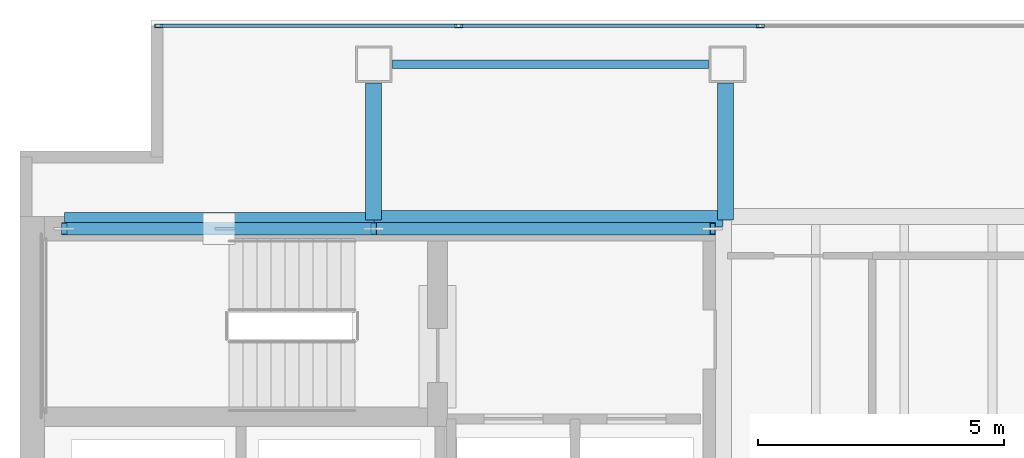
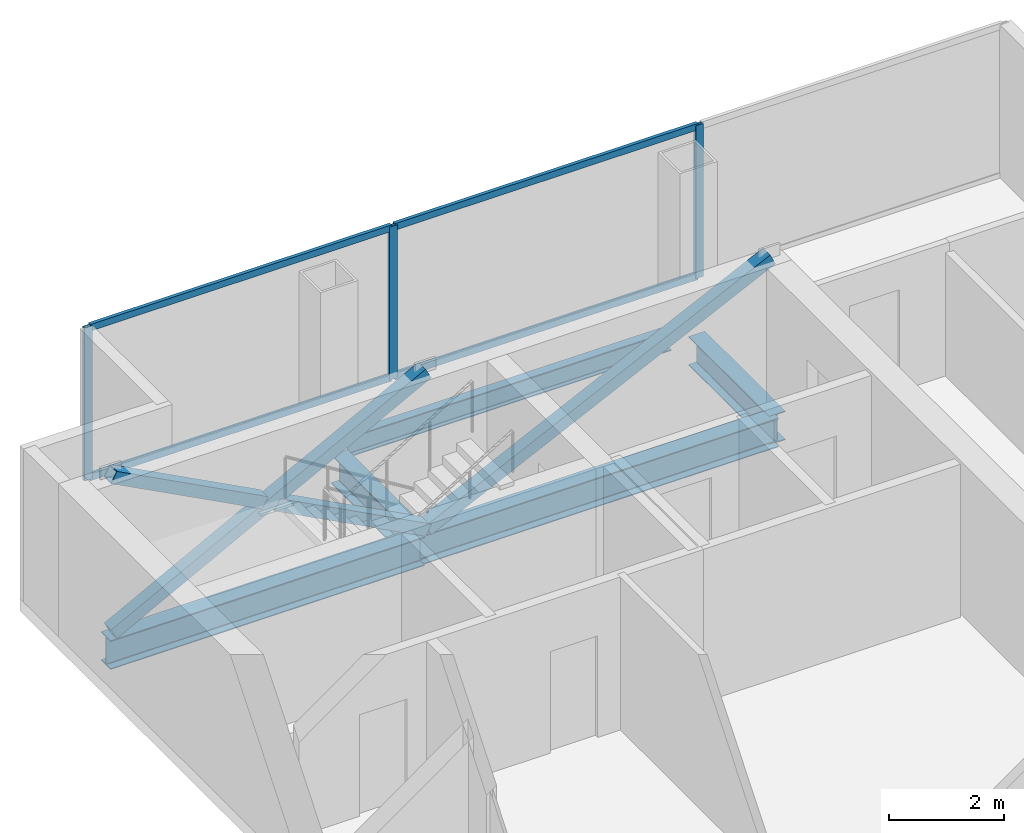
# One storey, part 17 of 23: 11 members, 5 beams, 1 element without a shape of its own.
"""IFC4 building model written with IfcOpenShell, lengths in metres."""

from ifc_helpers import new_model, si_unit, direction, frame, origin, origin_2d, place, context, subcontext, project, spatial, hollow_rectangle, i_section, extrude, material, material_profile, profile_set, type_object, element, aggregate, save


model = new_model("IFC4")

# Units and contexts
model_context = context("Model", 3, precision=1e-05, world=origin(), true_north=direction((0.0, 1.0)))
body_context = subcontext(model_context, "Body", "Model", "MODEL_VIEW")
ifc_project = project(units=[si_unit("LENGTHUNIT", "METRE"), si_unit("AREAUNIT", "SQUARE_METRE"), si_unit("VOLUMEUNIT", "CUBIC_METRE"), si_unit("PLANEANGLEUNIT", "RADIAN"), si_unit("MASSUNIT", "GRAM", prefix="KILO")], contexts=[model_context])

# Site, building, storey
site_placement = place(None, origin())
site = spatial("IfcSite", under=ifc_project, at=site_placement, CompositionType="ELEMENT")
building_placement = place(site_placement, origin())
building = spatial("IfcBuilding", under=site, at=building_placement, Name="Cobrela Telecom Tower", CompositionType="ELEMENT")
storey_placement = place(building_placement, frame((0.0, 0.0, 222.25)))
storey = spatial("IfcBuildingStorey", under=building, at=storey_placement, Name="L57", CompositionType="ELEMENT", Elevation=222.25)

# Beams
ifc_material_1 = material(Name="Steel ASTM A992 Grade 50", Category="steel")
ifc_material_profile_1 = material_profile(ifc_material_1, i_section(OverallWidth=0.324951171875, OverallDepth=0.612060546875, WebThickness=0.0126953125, FlangeThickness=0.01904296875, FilletRadius=0.014892578125, at=origin_2d()), Name="W24X104")
ifc_profile_set_1 = profile_set([ifc_material_profile_1], Name="Steel ASTM A992 Grade 50")
beam_type_1 = type_object("IfcBeamType", Name="BM-GIRD-07", PredefinedType="USERDEFINED", material=ifc_profile_set_1)
beam_1_placement = place(storey_placement, frame((0.905029296875, 35.919921875, -0.56591796875), z_axis=(1.0, 0.0, 0.0), x_axis=(0.0, 1.0, 0.0)))
element("IfcBeam", 1, at=beam_1_placement, inside=storey, type_object=beam_type_1, Name="L57 Primary Girder X20", ObjectType="GIRDER", PredefinedType="USERDEFINED", context=body_context, shape_type="SweptSolid", body=[
    extrude(i_section(OverallWidth=0.324951171875, OverallDepth=0.612060546875, WebThickness=0.0126953125, FlangeThickness=0.01904296875, FilletRadius=0.014892578125, at=origin_2d()), origin(), (0.0, 0.0, 1.0), 6.2900390625),
])
beam_2_placement = place(storey_placement, frame((7.205078125, 35.9599609375, -0.56591796875), z_axis=(1.0, 0.0, 0.0), x_axis=(0.0, 1.0, 0.0)))
element("IfcBeam", 2, at=beam_2_placement, inside=storey, type_object=beam_type_1, Name="L57 Primary Girder X21", ObjectType="GIRDER", PredefinedType="USERDEFINED", context=body_context, shape_type="SweptSolid", body=[
    extrude(i_section(OverallWidth=0.324951171875, OverallDepth=0.612060546875, WebThickness=0.0126953125, FlangeThickness=0.01904296875, FilletRadius=0.014892578125, at=origin_2d()), origin(), (0.0, 0.0, 1.0), 7.10986328125),
])
for number, where, z_axis, x_axis, name in (
    (3, (7.199951171875, 35.925048828125, -0.56591796875), (0.0, 1.0, 0.0), (-1.0, 0.0, 0.0), "L57 Primary Girder Y25"),
    (4, (14.360107421875, 35.925048828125, -0.56591796875), (0.0, 1.0, 0.0), (-1.0, 0.0, 0.0), "L57 Primary Girder Y31"),
):
    element("IfcBeam", number, at=place(storey_placement, frame(where, z_axis=z_axis, x_axis=x_axis)), inside=storey, type_object=beam_type_1, Name=name, ObjectType="GIRDER", PredefinedType="USERDEFINED", context=body_context, shape_type="SweptSolid", body=[
        extrude(i_section(OverallWidth=0.324951171875, OverallDepth=0.612060546875, WebThickness=0.0126953125, FlangeThickness=0.01904296875, FilletRadius=0.014892578125, at=origin_2d()), origin(), (0.0, 0.0, 1.0), 2.794921875),
    ])
ifc_material_profile_2 = material_profile(ifc_material_1, i_section(OverallWidth=0.179931640625, OverallDepth=0.4169921875, WebThickness=0.010986328125, FlangeThickness=0.01806640625, FilletRadius=0.011962890625, at=origin_2d()), Name="W16X57")
ifc_profile_set_2 = profile_set([ifc_material_profile_2], Name="Steel ASTM A992 Grade 50")
beam_type_2 = type_object("IfcBeamType", Name="BM-SPAND-06", PredefinedType="SPANDREL", material=ifc_profile_set_2)
beam_3_placement = place(storey_placement, frame((7.580078125, 39.10009765625, -0.468505859375), z_axis=(1.0, 0.0, 0.0), x_axis=(0.0, 1.0, 0.0)))
element("IfcBeam", 5, at=beam_3_placement, inside=storey, type_object=beam_type_2, Name="L57 Perimeter Spandrel X23", PredefinedType="SPANDREL", context=body_context, shape_type="SweptSolid", body=[
    extrude(i_section(OverallWidth=0.179931640625, OverallDepth=0.4169921875, WebThickness=0.010986328125, FlangeThickness=0.01806640625, FilletRadius=0.011962890625, at=origin_2d()), origin(), (0.0, 0.0, 1.0), 6.43994140625),
])

# Curtain wall, members
ifc_material_2 = material(Name="Anodized Bronze Aluminium 6063-T6", Category="aluminium")
curtain_wall_type = type_object("IfcCurtainWallType", Name="CW-SYS-OFF-LO", PredefinedType="USERDEFINED", material=ifc_material_2)
curtain_wall_placement = place(storey_placement, origin())
curtain_wall = element("IfcCurtainWall", 6, at=curtain_wall_placement, inside=storey, type_object=curtain_wall_type, Name="L57 Unitised Bronze Curtain Wall 07", ObjectType="UNITISED CURTAIN WALL", PredefinedType="USERDEFINED")
ifc_material_profile_3 = material_profile(ifc_material_2, hollow_rectangle(XDim=0.070068359375, YDim=0.159912109375, WallThickness=0.00390625, at=origin_2d()), Name="ALU 70x160x4")
ifc_profile_set_3 = profile_set([ifc_material_profile_3], Name="Anodized Bronze Aluminium 6063-T6")
member_type_1 = type_object("IfcMemberType", Name="CW-SYS-OFF-LO-MUL", PredefinedType="MULLION", material=ifc_profile_set_3)
member_1_placement = place(storey_placement, frame((2.824951171875, 39.8798828125, 0.0), z_axis=(0.0, 0.0, 1.0), x_axis=(0.0, 1.0, 0.0)))
member_1 = element("IfcMember", 7, at=member_1_placement, type_object=member_type_1, Name="CW-OFF-LO mullion 1", PredefinedType="MULLION", context=body_context, shape_type="SweptSolid", body=[
    extrude(hollow_rectangle(XDim=0.070068359375, YDim=0.159912109375, WallThickness=0.00390625, at=origin_2d()), origin(), (0.0, 0.0, 1.0), 3.239990234375),
])
member_2_placement = place(storey_placement, frame((8.929931640625, 39.8798828125, 0.0), z_axis=(0.0, 0.0, 1.0), x_axis=(0.0, 1.0, 0.0)))
member_2 = element("IfcMember", 8, at=member_2_placement, type_object=member_type_1, Name="CW-OFF-LO mullion 2", PredefinedType="MULLION", context=body_context, shape_type="SweptSolid", body=[
    extrude(hollow_rectangle(XDim=0.070068359375, YDim=0.159912109375, WallThickness=0.00390625, at=origin_2d()), origin(), (0.0, 0.0, 1.0), 3.239990234375),
])
member_3_placement = place(storey_placement, frame((15.070068359375, 39.8798828125, 0.0), z_axis=(0.0, 0.0, 1.0), x_axis=(0.0, 1.0, 0.0)))
member_3 = element("IfcMember", 9, at=member_3_placement, type_object=member_type_1, Name="CW-OFF-LO mullion 3", PredefinedType="MULLION", context=body_context, shape_type="SweptSolid", body=[
    extrude(hollow_rectangle(XDim=0.070068359375, YDim=0.159912109375, WallThickness=0.00390625, at=origin_2d()), origin(), (0.0, 0.0, 1.0), 3.239990234375),
])
ifc_material_profile_4 = material_profile(ifc_material_2, hollow_rectangle(XDim=0.070068359375, YDim=0.139892578125, WallThickness=0.00390625, at=origin_2d()), Name="ALU 70x140x4")
ifc_profile_set_4 = profile_set([ifc_material_profile_4], Name="Anodized Bronze Aluminium 6063-T6")
member_type_2 = type_object("IfcMemberType", Name="CW-SYS-OFF-LO-TRN", PredefinedType="USERDEFINED", material=ifc_profile_set_4)
member_4_placement = place(storey_placement, frame((2.860107421875, 39.8798828125, 0.034912109375), z_axis=(1.0, 0.0, 0.0), x_axis=(0.0, 1.0, 0.0)))
member_4 = element("IfcMember", 10, at=member_4_placement, type_object=member_type_2, Name="CW-OFF-LO transom 1.1", ObjectType="TRANSOM", PredefinedType="USERDEFINED", context=body_context, shape_type="SweptSolid", body=[
    extrude(hollow_rectangle(XDim=0.070068359375, YDim=0.139892578125, WallThickness=0.00390625, at=origin_2d()), origin(), (0.0, 0.0, 1.0), 6.034912109375),
])
member_5_placement = place(storey_placement, frame((2.860107421875, 39.8798828125, 3.205078125), z_axis=(1.0, 0.0, 0.0), x_axis=(0.0, 1.0, 0.0)))
member_5 = element("IfcMember", 11, at=member_5_placement, type_object=member_type_2, Name="CW-OFF-LO transom 1.2", ObjectType="TRANSOM", PredefinedType="USERDEFINED", context=body_context, shape_type="SweptSolid", body=[
    extrude(hollow_rectangle(XDim=0.070068359375, YDim=0.139892578125, WallThickness=0.00390625, at=origin_2d()), origin(), (0.0, 0.0, 1.0), 6.034912109375),
])
member_6_placement = place(storey_placement, frame((8.965087890625, 39.8798828125, 0.034912109375), z_axis=(1.0, 0.0, 0.0), x_axis=(0.0, 1.0, 0.0)))
member_6 = element("IfcMember", 12, at=member_6_placement, type_object=member_type_2, Name="CW-OFF-LO transom 2.1", ObjectType="TRANSOM", PredefinedType="USERDEFINED", context=body_context, shape_type="SweptSolid", body=[
    extrude(hollow_rectangle(XDim=0.070068359375, YDim=0.139892578125, WallThickness=0.00390625, at=origin_2d()), origin(), (0.0, 0.0, 1.0), 6.06982421875),
])
member_7_placement = place(storey_placement, frame((8.965087890625, 39.8798828125, 3.205078125), z_axis=(1.0, 0.0, 0.0), x_axis=(0.0, 1.0, 0.0)))
member_7 = element("IfcMember", 13, at=member_7_placement, type_object=member_type_2, Name="CW-OFF-LO transom 2.2", ObjectType="TRANSOM", PredefinedType="USERDEFINED", context=body_context, shape_type="SweptSolid", body=[
    extrude(hollow_rectangle(XDim=0.070068359375, YDim=0.139892578125, WallThickness=0.00390625, at=origin_2d()), origin(), (0.0, 0.0, 1.0), 6.06982421875),
])
aggregate(curtain_wall, [member_1, member_2, member_3, member_4, member_5, member_6, member_7])

# Members
ifc_material_3 = material(Name="Steel ASTM A572 Grade 50", Category="steel")
ifc_material_profile_5 = material_profile(ifc_material_3, hollow_rectangle(XDim=0.25, YDim=0.25, WallThickness=0.013916015625, at=origin_2d()), Name="HSS 250x250x14")
ifc_profile_set_5 = profile_set([ifc_material_profile_5], Name="Steel ASTM A572 Grade 50")
member_type_3 = type_object("IfcMemberType", Name="MBR-EXO-04", PredefinedType="BRACE", material=ifc_profile_set_5)
member_8_placement = place(storey_placement, frame((0.89990234375, 35.75, -0.0400390625), z_axis=(0.884671945606, 0.0, 0.466214058837), x_axis=(0.0, 1.0, 0.0)))
element("IfcMember", 14, at=member_8_placement, inside=storey, type_object=member_type_3, Name="L57 Core Flange Steel X-Brace Continuous A", PredefinedType="BRACE", context=body_context, shape_type="SweptSolid", body=[
    extrude(hollow_rectangle(XDim=0.25, YDim=0.25, WallThickness=0.013916015625, at=origin_2d()), origin(), (0.0, 0.0, 1.0), 7.121337890625),
])
for number, where, z_axis, x_axis, name in (
    (15, (7.199951171875, 35.75, -0.0400390625), (-0.884673479945, 0.0, 0.466211147317), (0.0, -1.0, 0.0), "L57 Core Flange Steel X-Brace Split B1"),
    (16, (3.926025390625, 35.75, 1.685302734375), (-0.884673479945, 0.0, 0.466211147317), (0.0, -1.0, 0.0), "L57 Core Flange Steel X-Brace Split B2"),
):
    element("IfcMember", number, at=place(storey_placement, frame(where, z_axis=z_axis, x_axis=x_axis)), inside=storey, type_object=member_type_3, Name=name, PredefinedType="BRACE", context=body_context, shape_type="SweptSolid", body=[
        extrude(hollow_rectangle(XDim=0.25, YDim=0.25, WallThickness=0.013916015625, at=origin_2d()), origin(), (0.0, 0.0, 1.0), 3.420654296875),
    ])
member_9_placement = place(storey_placement, frame((7.199951171875, 35.75, -0.0400390625), z_axis=(0.901115182893, 0.0, 0.43357978177), x_axis=(0.0, 1.0, 0.0)))
element("IfcMember", 17, at=member_9_placement, inside=storey, type_object=member_type_3, Name="L57 Core Flange Steel Brace N2", PredefinedType="BRACE", context=body_context, shape_type="SweptSolid", body=[
    extrude(hollow_rectangle(XDim=0.25, YDim=0.25, WallThickness=0.013916015625, at=origin_2d()), origin(), (0.0, 0.0, 1.0), 7.6572265625),
])

save(model, "model.ifc")
